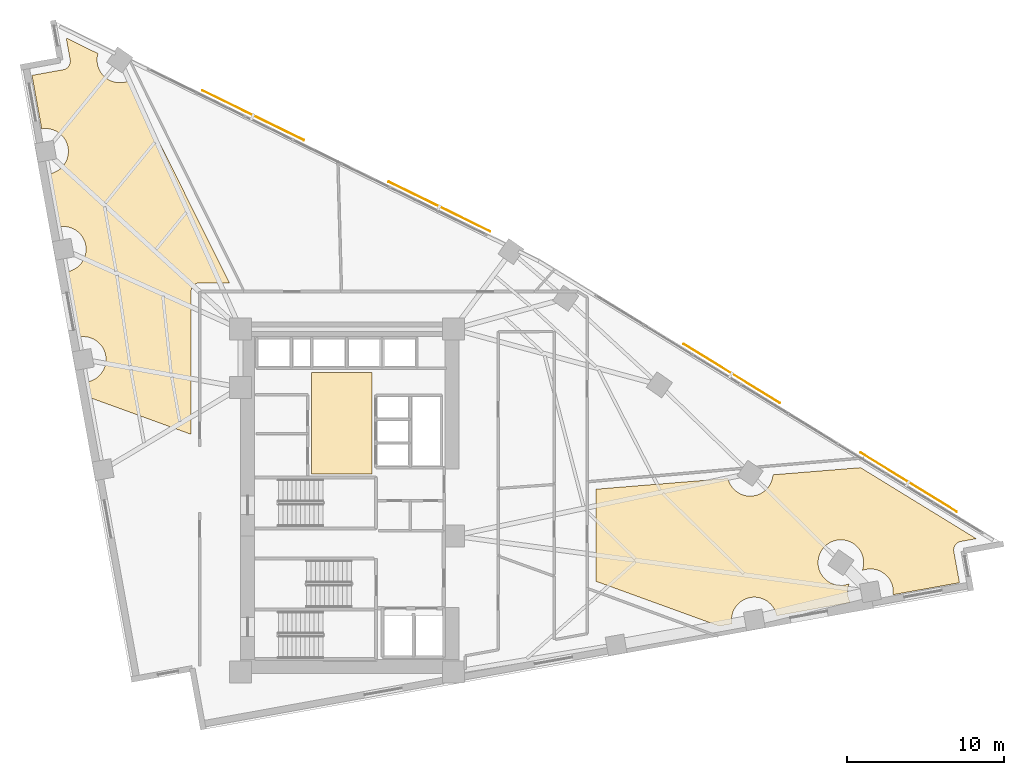
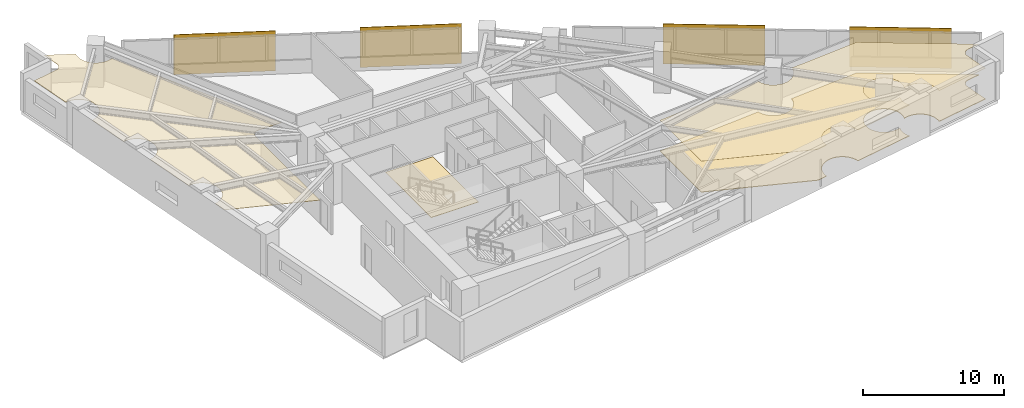
# One storey, part 18 of 18: 4 coverings, 4 shading devices.
"""IFC4 building model written with IfcOpenShell, lengths in metres."""

from ifc_helpers import new_model, si_unit, direction, frame, origin, origin_2d, place, context, subcontext, project, spatial, polyline, rectangle, outline, extrude, material, layer, layer_set, type_object, element, save


model = new_model("IFC4")

# Units and contexts
model_context = context("Model", 3, precision=1e-05, world=origin(), true_north=direction((0.0, 1.0)))
body_context = subcontext(model_context, "Body", "Model", "MODEL_VIEW")
ifc_project = project(units=[si_unit("LENGTHUNIT", "METRE"), si_unit("AREAUNIT", "SQUARE_METRE"), si_unit("VOLUMEUNIT", "CUBIC_METRE"), si_unit("PLANEANGLEUNIT", "RADIAN"), si_unit("MASSUNIT", "GRAM", prefix="KILO")], contexts=[model_context])

# Site, building, storey
site_placement = place(None, origin())
site = spatial("IfcSite", under=ifc_project, at=site_placement, CompositionType="ELEMENT")
building_placement = place(site_placement, origin())
building = spatial("IfcBuilding", under=site, at=building_placement, Name="Narakoshi Arena Tower", CompositionType="ELEMENT")
storey_placement = place(building_placement, frame((0.0, 0.0, 120.89990234375)))
storey = spatial("IfcBuildingStorey", under=building, at=storey_placement, Name="L32", CompositionType="ELEMENT", Elevation=120.89990234375)

# Coverings
ifc_material_1 = material(Name="Acoustic mineral-fibre ceiling tile")
ifc_layer_1 = layer(ifc_material_1, 0.02001953125)
ifc_layer_set_1 = layer_set([ifc_layer_1], Name="Acoustic mineral-fibre ceiling tile")
covering_type_1 = type_object("IfcCoveringType", Name="COV-CLG-AC20", PredefinedType="CEILING", material=ifc_layer_set_1)
covering_1_placement = place(storey_placement, frame((0.0, 0.0, 2.670166015625)))
element("IfcCovering", 1, at=covering_1_placement, inside=storey, type_object=covering_type_1, Name="L32 Suspended Acoustic Ceiling 1", PredefinedType="CEILING", context=body_context, shape_type="SweptSolid", body=[
    extrude(outline(polyline([(117.8193359375, 42.995361328125), (117.766845703125, 42.983154296875), (117.715576171875, 42.9658203125), (117.66650390625, 42.943603515625), (117.61962890625, 42.916748046875), (117.57568359375, 42.88525390625), (117.53515625, 42.849609375), (117.498291015625, 42.810302734375), (117.46533203125, 42.767578125), (117.436767578125, 42.7216796875), (117.412841796875, 42.67333984375), (117.393798828125, 42.622802734375), (117.379638671875, 42.57080078125), (117.370849609375, 42.517578125), (117.3671875, 42.463623046875), (117.368896484375, 42.409912109375), (117.3759765625, 42.356201171875), (117.734619140625, 40.372314453125), (113.506103515625, 39.607421875), (113.51318359375, 39.65576171875), (113.520263671875, 39.7978515625), (113.51318359375, 39.93994140625), (113.492431640625, 40.080810546875), (113.4580078125, 40.21875), (113.409912109375, 40.352783203125), (113.34912109375, 40.4814453125), (113.27587890625, 40.603515625), (113.191162109375, 40.7177734375), (113.095703125, 40.8232421875), (112.990234375, 40.918701171875), (112.8759765625, 41.00341796875), (112.75390625, 41.07666015625), (112.625244140625, 41.137451171875), (112.4912109375, 41.185546875), (112.353271484375, 41.219970703125), (112.21240234375, 41.240966796875), (112.0703125, 41.247802734375), (111.92822265625, 41.240966796875), (111.787353515625, 41.219970703125), (111.6494140625, 41.185546875), (111.548095703125, 41.149169921875), (111.576904296875, 41.229248046875), (111.611328125, 41.3671875), (111.632080078125, 41.508056640625), (111.63916015625, 41.650146484375), (111.632080078125, 41.792236328125), (111.611328125, 41.93310546875), (111.576904296875, 42.071044921875), (111.52880859375, 42.205078125), (111.468017578125, 42.333740234375), (111.394775390625, 42.455810546875), (111.31005859375, 42.570068359375), (111.214599609375, 42.675537109375), (111.109130859375, 42.77099609375), (110.994873046875, 42.855712890625), (110.872802734375, 42.928955078125), (110.744140625, 42.98974609375), (110.610107421875, 43.037841796875), (110.47216796875, 43.072265625), (110.331298828125, 43.09326171875), (110.189208984375, 43.10009765625), (110.047119140625, 43.09326171875), (109.90625, 43.072265625), (109.768310546875, 43.037841796875), (109.63427734375, 42.98974609375), (109.505615234375, 42.928955078125), (109.383544921875, 42.855712890625), (109.269287109375, 42.77099609375), (109.163818359375, 42.675537109375), (109.068359375, 42.570068359375), (108.983642578125, 42.455810546875), (108.910400390625, 42.333740234375), (108.849609375, 42.205078125), (108.801513671875, 42.071044921875), (108.76708984375, 41.93310546875), (108.74609375, 41.792236328125), (108.7392578125, 41.650146484375), (108.74609375, 41.508056640625), (108.76708984375, 41.3671875), (108.801513671875, 41.229248046875), (108.849609375, 41.09521484375), (108.910400390625, 40.966796875), (108.983642578125, 40.844482421875), (109.068359375, 40.730224609375), (109.163818359375, 40.625), (109.269287109375, 40.529296875), (109.383544921875, 40.444580078125), (109.505615234375, 40.371337890625), (109.63427734375, 40.310546875), (109.768310546875, 40.2626953125), (109.90625, 40.22802734375), (110.047119140625, 40.207275390625), (110.189208984375, 40.2001953125), (110.331298828125, 40.207275390625), (110.47216796875, 40.22802734375), (110.610107421875, 40.2626953125), (110.71142578125, 40.298828125), (110.6826171875, 40.21875), (110.648193359375, 40.080810546875), (110.627197265625, 39.93994140625), (110.620361328125, 39.7978515625), (110.627197265625, 39.65576171875), (110.648193359375, 39.514892578125), (110.6826171875, 39.376953125), (110.730712890625, 39.242919921875), (110.79052734375, 39.116455078125), (106.105712890625, 38.269287109375), (106.103515625, 38.284423828125), (106.06884765625, 38.42236328125), (106.02099609375, 38.556396484375), (105.960205078125, 38.68505859375), (105.886962890625, 38.80712890625), (105.80224609375, 38.92138671875), (105.70654296875, 39.02685546875), (105.601318359375, 39.122314453125), (105.48681640625, 39.20703125), (105.36474609375, 39.2802734375), (105.236083984375, 39.341064453125), (105.102294921875, 39.38916015625), (104.964111328125, 39.423583984375), (104.823486328125, 39.444580078125), (104.681396484375, 39.451416015625), (104.539306640625, 39.444580078125), (104.3984375, 39.423583984375), (104.260498046875, 39.38916015625), (104.12646484375, 39.341064453125), (103.997802734375, 39.2802734375), (103.875732421875, 39.20703125), (103.761474609375, 39.122314453125), (103.656005859375, 39.02685546875), (103.560302734375, 38.92138671875), (103.4755859375, 38.80712890625), (103.402587890625, 38.68505859375), (103.341796875, 38.556396484375), (103.293701171875, 38.42236328125), (103.25927734375, 38.284423828125), (103.23828125, 38.1435546875), (103.231201171875, 38.00146484375), (103.23828125, 37.859375), (103.25390625, 37.753662109375), (102.45947265625, 37.60986328125), (94.60009765625, 40.462890625), (94.60009765625, 46.3212890625), (103.009033203125, 47.005126953125), (103.032958984375, 46.90966796875), (103.080810546875, 46.775634765625), (103.1416015625, 46.64697265625), (103.21484375, 46.52490234375), (103.299560546875, 46.41064453125), (103.395263671875, 46.30517578125), (103.50048828125, 46.209716796875), (103.614990234375, 46.125), (103.737060546875, 46.0517578125), (103.865478515625, 45.990966796875), (103.99951171875, 45.94287109375), (104.1376953125, 45.908447265625), (104.2783203125, 45.887451171875), (104.42041015625, 45.880615234375), (104.5625, 45.887451171875), (104.703369140625, 45.908447265625), (104.84130859375, 45.94287109375), (104.975341796875, 45.990966796875), (105.10400390625, 46.0517578125), (105.22607421875, 46.125), (105.34033203125, 46.209716796875), (105.44580078125, 46.30517578125), (105.54150390625, 46.41064453125), (105.626220703125, 46.52490234375), (105.69921875, 46.64697265625), (105.760009765625, 46.775634765625), (105.80810546875, 46.90966796875), (105.842529296875, 47.047607421875), (105.863525390625, 47.1884765625), (105.865966796875, 47.237548828125), (111.443359375, 47.691162109375), (118.80029296875, 43.172607421875), (117.8193359375, 42.995361328125)])), origin(), (0.0, 0.0, 1.0), 0.02001953125),
])
ifc_material_2 = material(Name="Slatted oak acoustic timber baffle", Category="wood")
ifc_layer_2 = layer(ifc_material_2, 0.034912109375)
ifc_layer_set_2 = layer_set([ifc_layer_2], Name="Slatted oak acoustic timber baffle")
covering_type_2 = type_object("IfcCoveringType", Name="COV-CLG-WD35", PredefinedType="CEILING", material=ifc_layer_set_2)
covering_2_placement = place(storey_placement, frame((0.0, 0.0, 2.655029296875)))
element("IfcCovering", 2, at=covering_2_placement, inside=storey, type_object=covering_type_2, Name="L32 Suspended Acoustic Ceiling 2", PredefinedType="CEILING", context=body_context, shape_type="SweptSolid", body=[
    extrude(outline(polyline([(60.76611328125, 73.0205078125), (60.8173828125, 73.037841796875), (60.866455078125, 73.06005859375), (60.9130859375, 73.0869140625), (60.95703125, 73.118408203125), (60.997802734375, 73.154052734375), (61.03466796875, 73.193359375), (61.067626953125, 73.236083984375), (61.09619140625, 73.281982421875), (61.1201171875, 73.330322265625), (61.13916015625, 73.380859375), (61.1533203125, 73.432861328125), (61.162109375, 73.486083984375), (61.16552734375, 73.5400390625), (61.163818359375, 73.593994140625), (61.156982421875, 73.6474609375), (60.90771484375, 75.025390625), (62.92578125, 74.03662109375), (62.895751953125, 73.916015625), (62.874755859375, 73.775146484375), (62.867919921875, 73.633056640625), (62.874755859375, 73.490966796875), (62.895751953125, 73.35009765625), (62.93017578125, 73.212158203125), (62.978271484375, 73.078125), (63.0390625, 72.949462890625), (63.1123046875, 72.827392578125), (63.197021484375, 72.713134765625), (63.29248046875, 72.607666015625), (63.39794921875, 72.51220703125), (63.51220703125, 72.427490234375), (63.63427734375, 72.354248046875), (63.762939453125, 72.29345703125), (63.89697265625, 72.245361328125), (64.034912109375, 72.2109375), (64.17578125, 72.18994140625), (64.31787109375, 72.18310546875), (64.4599609375, 72.18994140625), (64.6005859375, 72.2109375), (64.73876953125, 72.245361328125), (64.872802734375, 72.29345703125), (64.888916015625, 72.301025390625), (71.281982421875, 59.449951171875), (69.39990234375, 59.449951171875), (69.34619140625, 59.447509765625), (69.292724609375, 59.439453125), (69.240234375, 59.42626953125), (69.189453125, 59.408203125), (69.140625, 59.385009765625), (69.094482421875, 59.357421875), (69.051025390625, 59.3251953125), (69.010986328125, 59.288818359375), (68.974853515625, 59.248779296875), (68.942626953125, 59.20556640625), (68.914794921875, 59.1591796875), (68.891845703125, 59.110595703125), (68.873779296875, 59.059814453125), (68.860595703125, 59.00732421875), (68.8525390625, 58.953857421875), (68.85009765625, 58.89990234375), (68.85009765625, 49.8095703125), (62.438720703125, 52.13671875), (62.25537109375, 53.151123046875), (62.2705078125, 53.1533203125), (62.40869140625, 53.18798828125), (62.54248046875, 53.23583984375), (62.671142578125, 53.296630859375), (62.793212890625, 53.369873046875), (62.90771484375, 53.45458984375), (63.012939453125, 53.55029296875), (63.108642578125, 53.655517578125), (63.193359375, 53.77001953125), (63.2666015625, 53.89208984375), (63.327392578125, 54.0205078125), (63.375244140625, 54.154541015625), (63.409912109375, 54.29248046875), (63.4306640625, 54.433349609375), (63.437744140625, 54.575439453125), (63.4306640625, 54.717529296875), (63.409912109375, 54.8583984375), (63.375244140625, 54.996337890625), (63.327392578125, 55.13037109375), (63.2666015625, 55.259033203125), (63.193359375, 55.381103515625), (63.108642578125, 55.495361328125), (63.012939453125, 55.600830078125), (62.90771484375, 55.6962890625), (62.793212890625, 55.781005859375), (62.671142578125, 55.854248046875), (62.54248046875, 55.9150390625), (62.40869140625, 55.963134765625), (62.2705078125, 55.99755859375), (62.1298828125, 56.0185546875), (61.98779296875, 56.025390625), (61.845703125, 56.0185546875), (61.73974609375, 56.002685546875), (60.98779296875, 60.16064453125), (61.003173828125, 60.1630859375), (61.14111328125, 60.197509765625), (61.275146484375, 60.24560546875), (61.40380859375, 60.306396484375), (61.52587890625, 60.37939453125), (61.64013671875, 60.464111328125), (61.74560546875, 60.559814453125), (61.841064453125, 60.665283203125), (61.92578125, 60.779541015625), (61.9990234375, 60.901611328125), (62.059814453125, 61.0302734375), (62.10791015625, 61.164306640625), (62.142333984375, 61.30224609375), (62.1630859375, 61.443115234375), (62.170166015625, 61.585205078125), (62.1630859375, 61.727294921875), (62.142333984375, 61.867919921875), (62.10791015625, 62.006103515625), (62.059814453125, 62.139892578125), (61.9990234375, 62.2685546875), (61.92578125, 62.390625), (61.841064453125, 62.5048828125), (61.74560546875, 62.6103515625), (61.64013671875, 62.7060546875), (61.52587890625, 62.790771484375), (61.40380859375, 62.864013671875), (61.275146484375, 62.9248046875), (61.14111328125, 62.97265625), (61.003173828125, 63.007080078125), (60.8623046875, 63.028076171875), (60.72021484375, 63.03515625), (60.578125, 63.028076171875), (60.47216796875, 63.012451171875), (59.861083984375, 66.3916015625), (59.87646484375, 66.393798828125), (60.014404296875, 66.42822265625), (60.1484375, 66.476318359375), (60.277099609375, 66.537109375), (60.399169921875, 66.6103515625), (60.513427734375, 66.695068359375), (60.618896484375, 66.79052734375), (60.71435546875, 66.89599609375), (60.799072265625, 67.01025390625), (60.872314453125, 67.13232421875), (60.93310546875, 67.260986328125), (60.981201171875, 67.39501953125), (61.015625, 67.532958984375), (61.03662109375, 67.673828125), (61.04345703125, 67.81591796875), (61.03662109375, 67.9580078125), (61.015625, 68.098876953125), (60.981201171875, 68.23681640625), (60.93310546875, 68.370849609375), (60.872314453125, 68.49951171875), (60.799072265625, 68.62158203125), (60.71435546875, 68.73583984375), (60.618896484375, 68.84130859375), (60.513427734375, 68.936767578125), (60.399169921875, 69.021484375), (60.277099609375, 69.0947265625), (60.1484375, 69.155517578125), (60.014404296875, 69.20361328125), (59.87646484375, 69.238037109375), (59.735595703125, 69.2587890625), (59.593505859375, 69.265869140625), (59.451416015625, 69.2587890625), (59.345703125, 69.2431640625), (58.7294921875, 72.649658203125), (60.713623046875, 73.00830078125), (60.76611328125, 73.0205078125)])), origin(), (0.0, 0.0, 1.0), 0.03515625),
])
ifc_material_3 = material(Name="Raised steel access floor panel", Category="steel")
ifc_layer_3 = layer(ifc_material_3, 0.044921875)
ifc_layer_set_3 = layer_set([ifc_layer_3], Name="Raised steel access floor panel")
covering_type_3 = type_object("IfcCoveringType", Name="COV-FLR-RF45", PredefinedType="FLOORING", material=ifc_layer_set_3)
covering_3_placement = place(storey_placement, origin())
element("IfcCovering", 3, at=covering_3_placement, inside=storey, type_object=covering_type_3, Name="L32 Raised Steel Access Floor", PredefinedType="FLOORING", context=body_context, shape_type="SweptSolid", body=[
    extrude(outline(polyline([(117.8193359375, 42.995361328125), (117.766845703125, 42.983154296875), (117.715576171875, 42.9658203125), (117.66650390625, 42.943603515625), (117.61962890625, 42.916748046875), (117.57568359375, 42.88525390625), (117.53515625, 42.849609375), (117.498291015625, 42.810302734375), (117.46533203125, 42.767578125), (117.436767578125, 42.7216796875), (117.412841796875, 42.67333984375), (117.393798828125, 42.622802734375), (117.379638671875, 42.57080078125), (117.370849609375, 42.517578125), (117.3671875, 42.463623046875), (117.368896484375, 42.409912109375), (117.3759765625, 42.356201171875), (117.734619140625, 40.372314453125), (113.506103515625, 39.607421875), (113.51318359375, 39.65576171875), (113.520263671875, 39.7978515625), (113.51318359375, 39.93994140625), (113.492431640625, 40.080810546875), (113.4580078125, 40.21875), (113.409912109375, 40.352783203125), (113.34912109375, 40.4814453125), (113.27587890625, 40.603515625), (113.191162109375, 40.7177734375), (113.095703125, 40.8232421875), (112.990234375, 40.918701171875), (112.8759765625, 41.00341796875), (112.75390625, 41.07666015625), (112.625244140625, 41.137451171875), (112.4912109375, 41.185546875), (112.353271484375, 41.219970703125), (112.21240234375, 41.240966796875), (112.0703125, 41.247802734375), (111.92822265625, 41.240966796875), (111.787353515625, 41.219970703125), (111.6494140625, 41.185546875), (111.548095703125, 41.149169921875), (111.576904296875, 41.229248046875), (111.611328125, 41.3671875), (111.632080078125, 41.508056640625), (111.63916015625, 41.650146484375), (111.632080078125, 41.792236328125), (111.611328125, 41.93310546875), (111.576904296875, 42.071044921875), (111.52880859375, 42.205078125), (111.468017578125, 42.333740234375), (111.394775390625, 42.455810546875), (111.31005859375, 42.570068359375), (111.214599609375, 42.675537109375), (111.109130859375, 42.77099609375), (110.994873046875, 42.855712890625), (110.872802734375, 42.928955078125), (110.744140625, 42.98974609375), (110.610107421875, 43.037841796875), (110.47216796875, 43.072265625), (110.331298828125, 43.09326171875), (110.189208984375, 43.10009765625), (110.047119140625, 43.09326171875), (109.90625, 43.072265625), (109.768310546875, 43.037841796875), (109.63427734375, 42.98974609375), (109.505615234375, 42.928955078125), (109.383544921875, 42.855712890625), (109.269287109375, 42.77099609375), (109.163818359375, 42.675537109375), (109.068359375, 42.570068359375), (108.983642578125, 42.455810546875), (108.910400390625, 42.333740234375), (108.849609375, 42.205078125), (108.801513671875, 42.071044921875), (108.76708984375, 41.93310546875), (108.74609375, 41.792236328125), (108.7392578125, 41.650146484375), (108.74609375, 41.508056640625), (108.76708984375, 41.3671875), (108.801513671875, 41.229248046875), (108.849609375, 41.09521484375), (108.910400390625, 40.966796875), (108.983642578125, 40.844482421875), (109.068359375, 40.730224609375), (109.163818359375, 40.625), (109.269287109375, 40.529296875), (109.383544921875, 40.444580078125), (109.505615234375, 40.371337890625), (109.63427734375, 40.310546875), (109.768310546875, 40.2626953125), (109.90625, 40.22802734375), (110.047119140625, 40.207275390625), (110.189208984375, 40.2001953125), (110.331298828125, 40.207275390625), (110.47216796875, 40.22802734375), (110.610107421875, 40.2626953125), (110.71142578125, 40.298828125), (110.6826171875, 40.21875), (110.648193359375, 40.080810546875), (110.627197265625, 39.93994140625), (110.620361328125, 39.7978515625), (110.627197265625, 39.65576171875), (110.648193359375, 39.514892578125), (110.6826171875, 39.376953125), (110.730712890625, 39.242919921875), (110.79052734375, 39.116455078125), (106.105712890625, 38.269287109375), (106.103515625, 38.284423828125), (106.06884765625, 38.42236328125), (106.02099609375, 38.556396484375), (105.960205078125, 38.68505859375), (105.886962890625, 38.80712890625), (105.80224609375, 38.92138671875), (105.70654296875, 39.02685546875), (105.601318359375, 39.122314453125), (105.48681640625, 39.20703125), (105.36474609375, 39.2802734375), (105.236083984375, 39.341064453125), (105.102294921875, 39.38916015625), (104.964111328125, 39.423583984375), (104.823486328125, 39.444580078125), (104.681396484375, 39.451416015625), (104.539306640625, 39.444580078125), (104.3984375, 39.423583984375), (104.260498046875, 39.38916015625), (104.12646484375, 39.341064453125), (103.997802734375, 39.2802734375), (103.875732421875, 39.20703125), (103.761474609375, 39.122314453125), (103.656005859375, 39.02685546875), (103.560302734375, 38.92138671875), (103.4755859375, 38.80712890625), (103.402587890625, 38.68505859375), (103.341796875, 38.556396484375), (103.293701171875, 38.42236328125), (103.25927734375, 38.284423828125), (103.23828125, 38.1435546875), (103.231201171875, 38.00146484375), (103.23828125, 37.859375), (103.25390625, 37.753662109375), (102.45947265625, 37.60986328125), (94.60009765625, 40.462890625), (94.60009765625, 46.3212890625), (103.009033203125, 47.005126953125), (103.032958984375, 46.90966796875), (103.080810546875, 46.775634765625), (103.1416015625, 46.64697265625), (103.21484375, 46.52490234375), (103.299560546875, 46.41064453125), (103.395263671875, 46.30517578125), (103.50048828125, 46.209716796875), (103.614990234375, 46.125), (103.737060546875, 46.0517578125), (103.865478515625, 45.990966796875), (103.99951171875, 45.94287109375), (104.1376953125, 45.908447265625), (104.2783203125, 45.887451171875), (104.42041015625, 45.880615234375), (104.5625, 45.887451171875), (104.703369140625, 45.908447265625), (104.84130859375, 45.94287109375), (104.975341796875, 45.990966796875), (105.10400390625, 46.0517578125), (105.22607421875, 46.125), (105.34033203125, 46.209716796875), (105.44580078125, 46.30517578125), (105.54150390625, 46.41064453125), (105.626220703125, 46.52490234375), (105.69921875, 46.64697265625), (105.760009765625, 46.775634765625), (105.80810546875, 46.90966796875), (105.842529296875, 47.047607421875), (105.863525390625, 47.1884765625), (105.865966796875, 47.237548828125), (111.443359375, 47.691162109375), (118.80029296875, 43.172607421875), (117.8193359375, 42.995361328125)])), origin(), (0.0, 0.0, 1.0), 0.045166015625),
])
ifc_material_4 = material(Name="Honed granite stone paving", Category="masonry")
ifc_layer_4 = layer(ifc_material_4, 0.030029296875)
ifc_layer_set_4 = layer_set([ifc_layer_4], Name="Honed granite stone paving")
covering_type_4 = type_object("IfcCoveringType", Name="COV-FLR-ST30", PredefinedType="FLOORING", material=ifc_layer_set_4)
covering_4_placement = place(storey_placement, origin())
element("IfcCovering", 4, at=covering_4_placement, inside=storey, type_object=covering_type_4, Name="L32 Lift Lobby Granite Flooring", PredefinedType="FLOORING", context=body_context, shape_type="SweptSolid", body=[
    extrude(outline(polyline([(76.5, 47.300048828125), (80.35009765625, 47.300048828125), (80.35009765625, 53.75), (76.5, 53.75), (76.5, 47.300048828125)])), origin(), (0.0, 0.0, 1.0), 0.030029296875),
])

# Shading devices
ifc_material_5 = material(Name="Perforated bronze ceramic-metal composite")
ifc_layer_5 = layer(ifc_material_5, 0.044921875)
ifc_layer_set_5 = layer_set([ifc_layer_5], Name="Perforated bronze ceramic-metal composite")
shading_device_type = type_object("IfcShadingDeviceType", Name="SHD-SCR-BRZ1", PredefinedType="USERDEFINED", material=ifc_layer_set_5)
for number, where, z_axis, x_axis, name in (
    (5, (114.495849609375, 46.77001953125, 0.0), (0.0, 0.0, 1.0), (-0.852110807003, 0.523361416794, 0.0), "L32 Perforated Bronze Solar Screen 1-1"),
    (6, (103.247802734375, 53.67822265625, 0.0), (0.0, 0.0, 1.0), (-0.852110807003, 0.523361416794, 0.0), "L32 Perforated Bronze Solar Screen 1-2"),
    (7, (84.6494140625, 64.297119140625, 0.0), (0.0, 0.0, 1.0), (-0.897996860024, 0.440001862936, 0.0), "L32 Perforated Bronze Solar Screen 2-1"),
    (8, (72.7958984375, 70.105224609375, 0.0), (0.0, 0.0, 1.0), (-0.897996860024, 0.440001862936, 0.0), "L32 Perforated Bronze Solar Screen 2-2"),
):
    element("IfcShadingDevice", number, at=place(storey_placement, frame(where, z_axis=z_axis, x_axis=x_axis)), inside=storey, type_object=shading_device_type, Name=name, ObjectType="SOLAR SCREEN", PredefinedType="USERDEFINED", context=body_context, shape_type="SweptSolid", body=[
        extrude(rectangle(XDim=7.199951171875, YDim=0.044921875, at=origin_2d()), origin(), (0.0, 0.0, 1.0), 3.449951171875),
    ])

save(model, "model.ifc")
